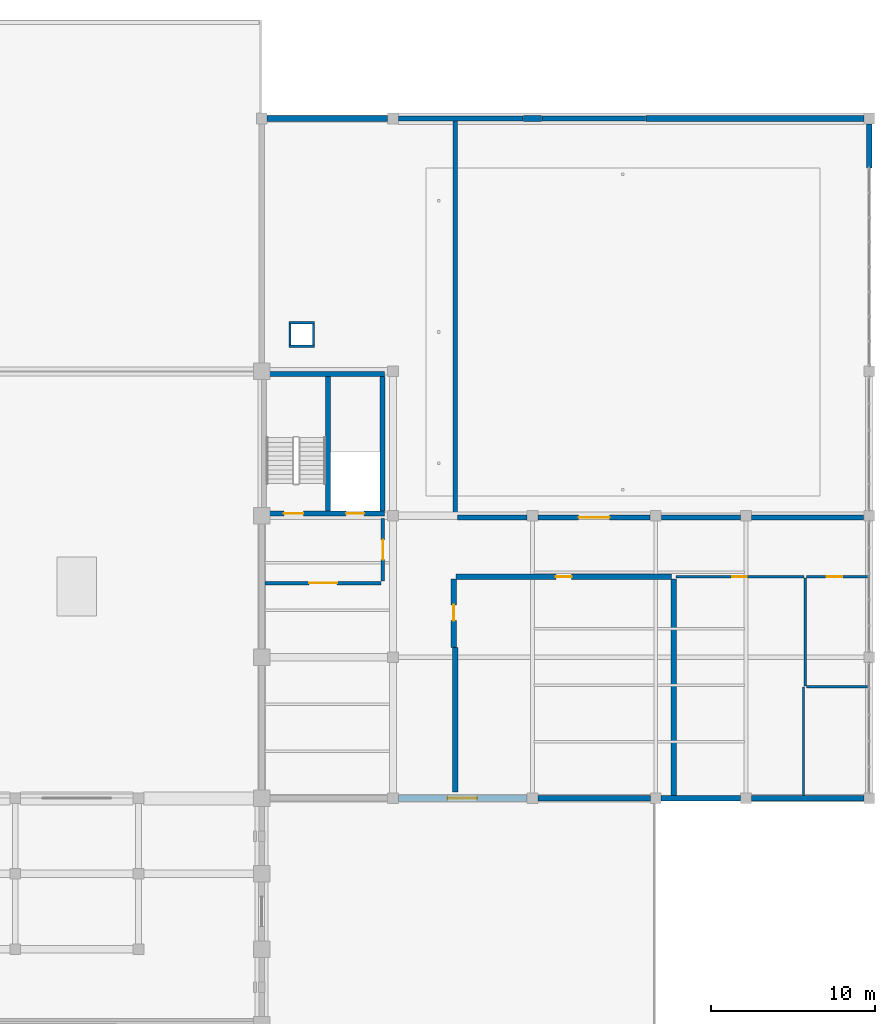
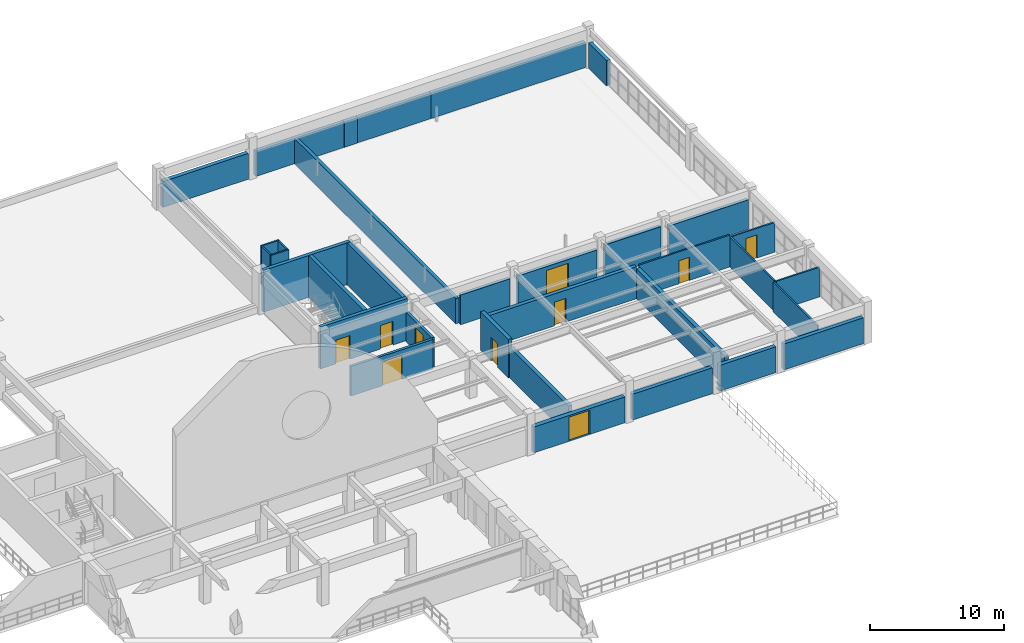
# One storey, part 62 of 74: 34 walls, 10 doors, 10 openings.
"""IFC4 building model written with IfcOpenShell, lengths in metres."""

from ifc_helpers import new_model, si_unit, direction, frame, frame_2d, origin, place, context, subcontext, project, spatial, rectangle, extrude, material, layer, layer_set, type_object, element, fill, save


model = new_model("IFC4")

# Units and contexts
model_context = context("Model", 3, precision=1e-05, world=origin(), true_north=direction((0.0, 1.0)))
body_context = subcontext(model_context, "Body", "Model", "MODEL_VIEW")
ifc_project = project(units=[si_unit("LENGTHUNIT", "METRE"), si_unit("AREAUNIT", "SQUARE_METRE"), si_unit("VOLUMEUNIT", "CUBIC_METRE"), si_unit("PLANEANGLEUNIT", "RADIAN"), si_unit("MASSUNIT", "GRAM", prefix="KILO")], contexts=[model_context])

# Site, building, storey
site_placement = place(None, origin())
site = spatial("IfcSite", under=ifc_project, at=site_placement, CompositionType="ELEMENT")
building_placement = place(site_placement, origin())
building = spatial("IfcBuilding", under=site, at=building_placement, Name="Muzn Square Opera House", CompositionType="ELEMENT")
storey_placement = place(building_placement, frame((0.0, 0.0, 14.199951171875)))
storey = spatial("IfcBuildingStorey", under=building, at=storey_placement, Name="L03", CompositionType="ELEMENT", Elevation=14.199951171875)

# Wall
ifc_material_1 = material(Name="Acoustic gypsum stud partition", Category="gypsum")
ifc_layer_1 = layer(ifc_material_1, 0.320068359375, Name="Acoustic gypsum stud partition", Category="gypsum")
ifc_layer_set_1 = layer_set([ifc_layer_1], Name="Acoustic gypsum stud partition")
wall_type_1 = type_object("IfcWallType", Name="Acoustic Studio Double Wall 320mm", PredefinedType="PARTITIONING", material=ifc_layer_set_1)
wall_1_placement = place(storey_placement, frame((158.10009765625, 72.77490234375, 0.0), z_axis=(0.0, 0.0, 1.0), x_axis=(0.0, 1.0, 0.0)))
element("IfcWall", 1, at=wall_1_placement, inside=storey, type_object=wall_type_1, Name="Interior Partition PW-L03-0360", PredefinedType="PARTITIONING", context=body_context, shape_type="SweptSolid", body=[
    extrude(rectangle(XDim=13.18017578125, YDim=0.320068359375, at=frame_2d((6.590087890625, 0.0))), origin(), (0.0, 0.0, 1.0), 2.7470703125),
])

# Wall, opening, door
wall_2_placement = place(storey_placement, frame((144.699951171875, 81.800048828125, 0.0), z_axis=(0.0, 0.0, 1.0), x_axis=(0.0, 1.0, 0.0)))
wall_2 = element("IfcWall", 2, at=wall_2_placement, inside=storey, type_object=wall_type_1, Name="Interior Partition PW-L03-0361", PredefinedType="PARTITIONING", context=body_context, shape_type="SweptSolid", body=[
    extrude(rectangle(XDim=4.155029296875, YDim=0.320068359375, at=frame_2d((2.07763671875, 0.0))), origin(), (0.0, 0.0, 1.0), 3.5),
])
opening_1_placement = place(wall_2_placement, frame((1.625, 0.0, 0.0)))
opening_1 = element("IfcOpeningElement", 3, at=opening_1_placement, cuts=wall_2, Name="Opening DR-OF95", PredefinedType="OPENING", context=body_context, shape_type="SweptSolid", body=[
    extrude(rectangle(XDim=0.949951171875, YDim=2.14990234375, at=frame_2d((0.47509765625, 1.074951171875))), frame((0.0, 0.169921875, 0.0), z_axis=(0.0, -1.0, 0.0), x_axis=(1.0, 0.0, 0.0)), (0.0, 0.0, 1.0), 0.340087890625),
])
ifc_material_2 = material(Name="Acoustic hardwood leaf", Category="wood")
door_type_1 = type_object("IfcDoorType", Name="Office Room Door 950x2150", OperationType="NOTDEFINED", PredefinedType="DOOR", material=ifc_material_2)
door_1_placement = place(opening_1_placement, origin())
door_1 = element("IfcDoor", 4, at=door_1_placement, inside=storey, type_object=door_type_1, Name="Orchestra Percussion and Harp Studio Door DR-L03-0104", OperationType="SINGLE_SWING_LEFT", OverallHeight=2.14990234375, OverallWidth=0.949951171875, PredefinedType="DOOR", context=body_context, shape_type="SweptSolid", body=[
    extrude(rectangle(XDim=0.949951171875, YDim=2.14990234375, at=frame_2d((0.47509765625, 1.074951171875))), frame((0.0, 0.02490234375, 0.0), z_axis=(0.0, -1.0, 0.0), x_axis=(1.0, 0.0, 0.0)), (0.0, 0.0, 1.0), 0.050048828125),
])
fill(opening_1, door_1)

wall_3_placement = place(storey_placement, frame((144.844970703125, 86.10009765625, 0.0), z_axis=(0.0, 0.0, 1.0), x_axis=(1.0, 0.0, 0.0)))
wall_3 = element("IfcWall", 5, at=wall_3_placement, inside=storey, type_object=wall_type_1, Name="Interior Partition PW-L03-0362", PredefinedType="PARTITIONING", context=body_context, shape_type="SweptSolid", body=[
    extrude(rectangle(XDim=13.110107421875, YDim=0.320068359375, at=frame_2d((6.55517578125, 0.0))), origin(), (0.0, 0.0, 1.0), 2.900146484375),
])
opening_2_placement = place(wall_3_placement, frame((6.080078125, 0.0, 0.0)))
opening_2 = element("IfcOpeningElement", 6, at=opening_2_placement, cuts=wall_3, Name="Opening DR-OF95", PredefinedType="OPENING", context=body_context, shape_type="SweptSolid", body=[
    extrude(rectangle(XDim=0.949951171875, YDim=2.14990234375, at=frame_2d((0.47509765625, 1.074951171875))), frame((0.0, 0.169921875, 0.0), z_axis=(0.0, -1.0, 0.0), x_axis=(1.0, 0.0, 0.0)), (0.0, 0.0, 1.0), 0.340087890625),
])
door_2_placement = place(opening_2_placement, origin())
door_2 = element("IfcDoor", 7, at=door_2_placement, inside=storey, type_object=door_type_1, Name="Orchestra Percussion and Harp Studio Door DR-L03-0105", OperationType="SINGLE_SWING_RIGHT", OverallHeight=2.14990234375, OverallWidth=0.949951171875, PredefinedType="DOOR", context=body_context, shape_type="SweptSolid", body=[
    extrude(rectangle(XDim=0.949951171875, YDim=2.14990234375, at=frame_2d((0.47509765625, 1.074951171875))), frame((0.0, 0.02490234375, 0.0), z_axis=(0.0, -1.0, 0.0), x_axis=(1.0, 0.0, 0.0)), (0.0, 0.0, 1.0), 0.050048828125),
])
fill(opening_2, door_2)

# Walls
wall_4_placement = place(storey_placement, frame((144.800048828125, 73.0, 0.0), z_axis=(0.0, 0.0, 1.0), x_axis=(0.0, 1.0, 0.0)))
element("IfcWall", 8, at=wall_4_placement, inside=storey, type_object=wall_type_1, Name="Room Enclosure Partition PW-L03-0383", PredefinedType="PARTITIONING", context=body_context, shape_type="SweptSolid", body=[
    extrude(rectangle(XDim=8.780029296875, YDim=0.320068359375, at=frame_2d((4.39013671875, 0.0))), origin(), (0.0, 0.0, 1.0), 2.7470703125),
])
ifc_material_3 = material(Name="Concrete C45/55", Category="concrete")
ifc_layer_2 = layer(ifc_material_3, 0.300048828125, Name="Concrete C45/55", Category="concrete")
ifc_layer_set_2 = layer_set([ifc_layer_2], Name="Concrete C45/55")
wall_type_2 = type_object("IfcWallType", Name="Core Shear Wall 300mm", PredefinedType="SHEAR", material=ifc_layer_set_2)
wall_5_placement = place(storey_placement, frame((133.0, 98.449951171875, 0.0), z_axis=(0.0, 0.0, 1.0), x_axis=(1.0, 0.0, 0.0)))
element("IfcWall", 9, at=wall_5_placement, inside=storey, type_object=wall_type_2, Name="Core C5 Shear Wall SW-C5-L03-N", PredefinedType="SHEAR", context=body_context, shape_type="SweptSolid", body=[
    extrude(rectangle(XDim=7.5, YDim=0.300048828125, at=frame_2d((3.75, 0.0))), origin(), (0.0, 0.0, 1.0), 3.800048828125),
])
for number, where, z_axis, x_axis, name in (
    (10, (140.35009765625, 90.10009765625, 0.0), (0.0, 0.0, 1.0), (0.0, 1.0, 0.0), "Core C5 Shear Wall SW-C5-L03-E"),
    (11, (137.050048828125, 90.10009765625, 0.0), (0.0, 0.0, 1.0), (0.0, 1.0, 0.0), "Core C5 Shear Wall SW-C5-L03-DIV"),
):
    element("IfcWall", number, at=place(storey_placement, frame(where, z_axis=z_axis, x_axis=x_axis)), inside=storey, type_object=wall_type_2, Name=name, PredefinedType="SHEAR", context=body_context, shape_type="SweptSolid", body=[
        extrude(rectangle(XDim=8.199951171875, YDim=0.300048828125, at=frame_2d((4.10009765625, 0.0))), origin(), (0.0, 0.0, 1.0), 3.800048828125),
    ])

# Wall, openings, doors
wall_6_placement = place(storey_placement, frame((133.0, 89.949951171875, 0.0), z_axis=(0.0, 0.0, 1.0), x_axis=(1.0, 0.0, 0.0)))
wall_6 = element("IfcWall", 12, at=wall_6_placement, inside=storey, type_object=wall_type_2, Name="Core C5 Front Shear Wall L03", PredefinedType="SHEAR", context=body_context, shape_type="SweptSolid", body=[
    extrude(rectangle(XDim=7.5, YDim=0.300048828125, at=frame_2d((3.75, 0.0))), origin(), (0.0, 0.0, 1.0), 3.800048828125),
])
opening_3_placement = place(wall_6_placement, frame((2.550048828125, 0.0, 0.0), z_axis=(0.0, 0.0, 1.0), x_axis=(-1.0, 0.0, 0.0)))
opening_3 = element("IfcOpeningElement", 13, at=opening_3_placement, cuts=wall_6, Name="Opening DR-ST12", PredefinedType="OPENING", context=body_context, shape_type="SweptSolid", body=[
    extrude(rectangle(XDim=1.199951171875, YDim=2.14990234375, at=frame_2d((0.60009765625, 1.074951171875))), frame((0.0, 0.159912109375, 0.0), z_axis=(0.0, -1.0, 0.0), x_axis=(1.0, 0.0, 0.0)), (0.0, 0.0, 1.0), 0.320068359375),
])
opening_4_placement = place(wall_6_placement, frame((5.14990234375, 0.0, 0.0)))
opening_4 = element("IfcOpeningElement", 14, at=opening_4_placement, cuts=wall_6, Name="Opening LD-01", PredefinedType="OPENING", context=body_context, shape_type="SweptSolid", body=[
    extrude(rectangle(XDim=1.10009765625, YDim=2.14990234375, at=frame_2d((0.550048828125, 1.074951171875))), frame((0.0, 0.159912109375, 0.0), z_axis=(0.0, -1.0, 0.0), x_axis=(1.0, 0.0, 0.0)), (0.0, 0.0, 1.0), 0.320068359375),
])
ifc_material_4 = material(Name="Galvanised painted steel leaf", Category="metal")
door_type_2 = type_object("IfcDoorType", Name="Core Stair Fire Door 1200x2150", OperationType="NOTDEFINED", PredefinedType="DOOR", material=ifc_material_4)
door_3_placement = place(opening_3_placement, origin())
door_3 = element("IfcDoor", 15, at=door_3_placement, inside=storey, type_object=door_type_2, Name="Core C5 Stair Door L03", OperationType="SINGLE_SWING_RIGHT", OverallHeight=2.14990234375, OverallWidth=1.199951171875, PredefinedType="DOOR", context=body_context, shape_type="SweptSolid", body=[
    extrude(rectangle(XDim=1.199951171875, YDim=2.14990234375, at=frame_2d((0.60009765625, 1.074951171875))), frame((0.0, 0.02490234375, 0.0), z_axis=(0.0, -1.0, 0.0), x_axis=(1.0, 0.0, 0.0)), (0.0, 0.0, 1.0), 0.050048828125),
])
fill(opening_3, door_3)
ifc_material_5 = material(Name="Brushed stainless steel", Category="metal")
door_type_3 = type_object("IfcDoorType", Name="Lift Landing Sliding Door 1100x2150", OperationType="SLIDING_TO_LEFT", PredefinedType="DOOR", material=ifc_material_5)
door_4_placement = place(opening_4_placement, origin())
door_4 = element("IfcDoor", 16, at=door_4_placement, inside=storey, type_object=door_type_3, Name="Lift PL-5 Sliding Landing Door L03", OperationType="SLIDING_TO_LEFT", OverallHeight=2.14990234375, OverallWidth=1.10009765625, PredefinedType="DOOR", context=body_context, shape_type="SweptSolid", body=[
    extrude(rectangle(XDim=1.10009765625, YDim=2.14990234375, at=frame_2d((0.550048828125, 1.074951171875))), frame((0.0, 0.02490234375, 0.0), z_axis=(0.0, -1.0, 0.0), x_axis=(1.0, 0.0, 0.0)), (0.0, 0.0, 1.0), 0.050048828125),
])
fill(opening_4, door_4)

# Walls
ifc_material_6 = material(Name="Concrete C40/50", Category="concrete")
ifc_layer_3 = layer(ifc_material_6, 0.31005859375, Name="Concrete C40/50", Category="concrete")
ifc_layer_set_3 = layer_set([ifc_layer_3], Name="Concrete C40/50")
wall_type_3 = type_object("IfcWallType", Name="Exterior Gallery Facade Wall 310mm", PredefinedType="SOLIDWALL", material=ifc_layer_set_3)
wall_7_placement = place(storey_placement, frame((141.324951171875, 114.0, 0.0), z_axis=(0.0, 0.0, 1.0), x_axis=(1.0, 0.0, 0.0)))
element("IfcWall", 17, at=wall_7_placement, inside=storey, type_object=wall_type_3, Name="Exterior Facade Wall EW-L03-094", PredefinedType="SOLIDWALL", context=body_context, shape_type="SweptSolid", body=[
    extrude(rectangle(XDim=7.594970703125, YDim=0.31005859375, at=frame_2d((3.79736328125, 0.0))), origin(), (0.0, 0.0, 1.0), 2.300048828125),
])
wall_8_placement = place(storey_placement, frame((150.080078125, 114.0, 0.0), z_axis=(0.0, 0.0, 1.0), x_axis=(1.0, 0.0, 0.0)))
element("IfcWall", 18, at=wall_8_placement, inside=storey, type_object=wall_type_3, Name="Exterior Facade Wall EW-L03-095", PredefinedType="SOLIDWALL", context=body_context, shape_type="SweptSolid", body=[
    extrude(rectangle(XDim=6.304931640625, YDim=0.31005859375, at=frame_2d((3.15234375, 0.0))), origin(), (0.0, 0.0, 1.0), 2.300048828125),
])
ifc_layer_4 = layer(ifc_material_6, 0.340087890625, Name="Concrete C40/50", Category="concrete")
ifc_layer_set_4 = layer_set([ifc_layer_4], Name="Concrete C40/50")
wall_type_4 = type_object("IfcWallType", Name="Exterior Insulated Spandrel Wall 340mm", PredefinedType="SOLIDWALL", material=ifc_layer_set_4)
wall_9_placement = place(storey_placement, frame((170.0, 111.0, 0.0), z_axis=(0.0, 0.0, 1.0), x_axis=(0.0, 1.0, 0.0)))
element("IfcWall", 19, at=wall_9_placement, inside=storey, type_object=wall_type_4, Name="Exterior Facade Wall EW-L03-241", PredefinedType="SOLIDWALL", context=body_context, shape_type="SweptSolid", body=[
    extrude(rectangle(XDim=2.675048828125, YDim=0.340087890625, at=frame_2d((1.33740234375, 0.0))), origin(), (0.0, 0.0, 1.0), 2.300048828125),
])
wall_10_placement = place(storey_placement, frame((149.824951171875, 72.60009765625, 0.0), z_axis=(0.0, 0.0, 1.0), x_axis=(1.0, 0.0, 0.0)))
element("IfcWall", 20, at=wall_10_placement, inside=storey, type_object=wall_type_4, Name="Exterior Facade Wall EW-L03-243", PredefinedType="SOLIDWALL", context=body_context, shape_type="SweptSolid", body=[
    extrude(rectangle(XDim=6.85009765625, YDim=0.340087890625, at=frame_2d((3.425048828125, 0.0))), origin(), (0.0, 0.0, 1.0), 2.35009765625),
])
wall_11_placement = place(storey_placement, frame((157.324951171875, 72.60009765625, 0.0), z_axis=(0.0, 0.0, 1.0), x_axis=(1.0, 0.0, 0.0)))
element("IfcWall", 21, at=wall_11_placement, inside=storey, type_object=wall_type_4, Name="Exterior Facade Wall EW-L03-244", PredefinedType="SOLIDWALL", context=body_context, shape_type="SweptSolid", body=[
    extrude(rectangle(XDim=4.85009765625, YDim=0.340087890625, at=frame_2d((2.425048828125, 0.0))), origin(), (0.0, 0.0, 1.0), 2.35009765625),
])
wall_12_placement = place(storey_placement, frame((162.824951171875, 72.60009765625, 0.0), z_axis=(0.0, 0.0, 1.0), x_axis=(1.0, 0.0, 0.0)))
element("IfcWall", 22, at=wall_12_placement, inside=storey, type_object=wall_type_4, Name="Exterior Facade Wall EW-L03-245", PredefinedType="SOLIDWALL", context=body_context, shape_type="SweptSolid", body=[
    extrude(rectangle(XDim=6.85009765625, YDim=0.340087890625, at=frame_2d((3.425048828125, 0.0))), origin(), (0.0, 0.0, 1.0), 2.35009765625),
])
wall_13_placement = place(storey_placement, frame((133.324951171875, 114.0, 0.0), z_axis=(0.0, 0.0, 1.0), x_axis=(1.0, 0.0, 0.0)))
element("IfcWall", 23, at=wall_13_placement, inside=storey, type_object=wall_type_4, Name="Exterior Facade Wall EW-L03-249", PredefinedType="SOLIDWALL", context=body_context, shape_type="SweptSolid", body=[
    extrude(rectangle(XDim=7.35009765625, YDim=0.340087890625, at=frame_2d((3.675048828125, 0.0))), origin(), (0.0, 0.0, 1.0), 2.35009765625),
])
wall_14_placement = place(storey_placement, frame((156.405029296875, 114.0, 0.0), z_axis=(0.0, 0.0, 1.0), x_axis=(1.0, 0.0, 0.0)))
element("IfcWall", 24, at=wall_14_placement, inside=storey, type_object=wall_type_4, Name="Exterior Facade Wall EW-L03-251", PredefinedType="SOLIDWALL", context=body_context, shape_type="SweptSolid", body=[
    extrude(rectangle(XDim=13.27001953125, YDim=0.340087890625, at=frame_2d((6.635009765625, 0.0))), origin(), (0.0, 0.0, 1.0), 2.300048828125),
])
wall_15_placement = place(storey_placement, frame((148.93994140625, 114.0, 0.0), z_axis=(0.0, 0.0, 1.0), x_axis=(1.0, 0.0, 0.0)))
element("IfcWall", 25, at=wall_15_placement, inside=storey, type_object=wall_type_4, Name="Exterior Facade Wall EW-L03-250", PredefinedType="SOLIDWALL", context=body_context, shape_type="SweptSolid", body=[
    extrude(rectangle(XDim=1.1201171875, YDim=0.340087890625, at=frame_2d((0.56005859375, 0.0))), origin(), (0.0, 0.0, 1.0), 2.300048828125),
])

# Wall, opening, door
ifc_layer_5 = layer(ifc_material_6, 0.3798828125, Name="Concrete C40/50", Category="concrete")
ifc_layer_set_5 = layer_set([ifc_layer_5], Name="Concrete C40/50")
wall_type_5 = type_object("IfcWallType", Name="Exterior Limestone Wall 380mm", PredefinedType="SOLIDWALL", material=ifc_layer_set_5)
wall_16_placement = place(storey_placement, frame((141.324951171875, 72.60009765625, 0.0), z_axis=(0.0, 0.0, 1.0), x_axis=(1.0, 0.0, 0.0)))
wall_16 = element("IfcWall", 26, at=wall_16_placement, inside=storey, type_object=wall_type_5, Name="Exterior Facade Wall EW-L03-105", PredefinedType="SOLIDWALL", context=body_context, shape_type="SweptSolid", body=[
    extrude(rectangle(XDim=7.85009765625, YDim=0.3798828125, at=frame_2d((3.925048828125, 0.0))), origin(), (0.0, 0.0, 1.0), 2.35009765625),
])
opening_5_placement = place(wall_16_placement, frame((4.804931640625, 0.0, 0.0), z_axis=(0.0, 0.0, 1.0), x_axis=(-1.0, 0.0, 0.0)))
opening_5 = element("IfcOpeningElement", 27, at=opening_5_placement, cuts=wall_16, Name="Opening DR-TR18L", PredefinedType="OPENING", context=body_context, shape_type="SweptSolid", body=[
    extrude(rectangle(XDim=1.800048828125, YDim=2.199951171875, at=frame_2d((0.89990234375, 1.10009765625))), frame((0.0, 0.199951171875, 0.0), z_axis=(0.0, -1.0, 0.0), x_axis=(1.0, 0.0, 0.0)), (0.0, 0.0, 1.0), 0.39990234375),
])
ifc_material_7 = material(Name="Anodised bronze aluminium", Category="metal")
door_type_4 = type_object("IfcDoorType", Name="Terrace Compact Glazed Door 1800x2200", OperationType="DOUBLE_DOOR_SINGLE_SWING", PredefinedType="DOOR", material=ifc_material_7)
door_5_placement = place(opening_5_placement, origin())
door_5 = element("IfcDoor", 28, at=door_5_placement, inside=storey, type_object=door_type_4, Name="Rehearsal Pavilion Sunset Terrace Door D-TR302", OperationType="DOUBLE_DOOR_SINGLE_SWING", OverallHeight=2.199951171875, OverallWidth=1.800048828125, PredefinedType="DOOR", context=body_context, shape_type="SweptSolid", body=[
    extrude(rectangle(XDim=1.800048828125, YDim=2.199951171875, at=frame_2d((0.89990234375, 1.10009765625))), frame((0.0, 0.02490234375, 0.0), z_axis=(0.0, -1.0, 0.0), x_axis=(1.0, 0.0, 0.0)), (0.0, 0.0, 1.0), 0.050048828125),
])
fill(opening_5, door_5)

ifc_layer_6 = layer(ifc_material_6, 0.219970703125, Name="Concrete C40/50", Category="concrete")
ifc_layer_set_6 = layer_set([ifc_layer_6], Name="Concrete C40/50")
wall_type_6 = type_object("IfcWallType", Name="Lift Lobby Wall 220mm", PredefinedType="SOLIDWALL", material=ifc_layer_set_6)
wall_17_placement = place(storey_placement, frame((133.219970703125, 85.7099609375, 0.0), z_axis=(0.0, 0.0, 1.0), x_axis=(1.0, 0.0, 0.0)))
wall_17 = element("IfcWall", 29, at=wall_17_placement, inside=storey, type_object=wall_type_6, Name="Lobby C5 Enclosure Wall L03", PredefinedType="SOLIDWALL", context=body_context, shape_type="SweptSolid", body=[
    extrude(rectangle(XDim=7.06005859375, YDim=0.219970703125, at=frame_2d((3.530029296875, 0.0))), origin(), (0.0, 0.0, 1.0), 2.699951171875),
])
opening_6_placement = place(wall_17_placement, frame((4.3798828125, 0.0, 0.0), z_axis=(0.0, 0.0, 1.0), x_axis=(-1.0, 0.0, 0.0)))
opening_6 = element("IfcOpeningElement", 30, at=opening_6_placement, cuts=wall_17, Name="Opening DR-LL17", PredefinedType="OPENING", context=body_context, shape_type="SweptSolid", body=[
    extrude(rectangle(XDim=1.699951171875, YDim=2.179931640625, at=frame_2d((0.85009765625, 1.08984375))), frame((0.0, 0.119873046875, 0.0), z_axis=(0.0, -1.0, 0.0), x_axis=(1.0, 0.0, 0.0)), (0.0, 0.0, 1.0), 0.239990234375),
])
door_type_5 = type_object("IfcDoorType", Name="Lift Lobby Double Door 1700x2180", OperationType="DOUBLE_DOOR_SINGLE_SWING", PredefinedType="DOOR", material=ifc_material_2)
door_6_placement = place(opening_6_placement, origin())
door_6 = element("IfcDoor", 31, at=door_6_placement, inside=storey, type_object=door_type_5, Name="Lobby C5 Fire Door L03", OperationType="DOUBLE_DOOR_SINGLE_SWING", OverallHeight=2.179931640625, OverallWidth=1.699951171875, PredefinedType="DOOR", context=body_context, shape_type="SweptSolid", body=[
    extrude(rectangle(XDim=1.699951171875, YDim=2.179931640625, at=frame_2d((0.85009765625, 1.08984375))), frame((0.0, 0.02490234375, 0.0), z_axis=(0.0, -1.0, 0.0), x_axis=(1.0, 0.0, 0.0)), (0.0, 0.0, 1.0), 0.050048828125),
])
fill(opening_6, door_6)

wall_18_placement = place(storey_placement, frame((140.389892578125, 85.820068359375, 0.0), z_axis=(0.0, 0.0, 1.0), x_axis=(0.0, 1.0, 0.0)))
wall_18 = element("IfcWall", 32, at=wall_18_placement, inside=storey, type_object=wall_type_6, Name="Lobby C5 Side Wall E L03", PredefinedType="SOLIDWALL", context=body_context, shape_type="SweptSolid", body=[
    extrude(rectangle(XDim=3.829833984375, YDim=0.219970703125, at=frame_2d((1.9150390625, 0.0))), origin(), (0.0, 0.0, 1.0), 2.699951171875),
])
opening_7_placement = place(wall_18_placement, frame((2.514892578125, 0.0, 0.0), z_axis=(0.0, 0.0, 1.0), x_axis=(-1.0, 0.0, 0.0)))
opening_7 = element("IfcOpeningElement", 33, at=opening_7_placement, cuts=wall_18, Name="Opening DR-ST12", PredefinedType="OPENING", context=body_context, shape_type="SweptSolid", body=[
    extrude(rectangle(XDim=1.199951171875, YDim=2.14990234375, at=frame_2d((0.60009765625, 1.074951171875))), frame((0.0, 0.119873046875, 0.0), z_axis=(0.0, -1.0, 0.0), x_axis=(1.0, 0.0, 0.0)), (0.0, 0.0, 1.0), 0.239990234375),
])
door_7_placement = place(opening_7_placement, origin())
door_7 = element("IfcDoor", 34, at=door_7_placement, inside=storey, type_object=door_type_2, Name="Lobby C5 Side Door E L03", OperationType="SINGLE_SWING_LEFT", OverallHeight=2.14990234375, OverallWidth=1.199951171875, PredefinedType="DOOR", context=body_context, shape_type="SweptSolid", body=[
    extrude(rectangle(XDim=1.199951171875, YDim=2.14990234375, at=frame_2d((0.60009765625, 1.074951171875))), frame((0.0, 0.02490234375, 0.0), z_axis=(0.0, -1.0, 0.0), x_axis=(1.0, 0.0, 0.0)), (0.0, 0.0, 1.0), 0.050048828125),
])
fill(opening_7, door_7)

ifc_layer_7 = layer(ifc_material_1, 0.2900390625, Name="Acoustic gypsum stud partition", Category="gypsum")
ifc_layer_set_7 = layer_set([ifc_layer_7], Name="Acoustic gypsum stud partition")
wall_type_7 = type_object("IfcWallType", Name="Rehearsal Sound Wall 290mm", PredefinedType="PARTITIONING", material=ifc_layer_set_7)
wall_19_placement = place(storey_placement, frame((149.844970703125, 89.699951171875, 0.0), z_axis=(0.0, 0.0, 1.0), x_axis=(1.0, 0.0, 0.0)))
wall_19 = element("IfcWall", 35, at=wall_19_placement, inside=storey, type_object=wall_type_7, Name="Interior Partition PW-L03-0356", PredefinedType="PARTITIONING", context=body_context, shape_type="SweptSolid", body=[
    extrude(rectangle(XDim=6.81005859375, YDim=0.2900390625, at=frame_2d((3.405029296875, 0.0))), origin(), (0.0, 0.0, 1.0), 2.699951171875),
])
opening_8_placement = place(wall_19_placement, frame((2.455078125, 0.0, 0.0)))
opening_8 = element("IfcOpeningElement", 36, at=opening_8_placement, cuts=wall_19, Name="Opening DR-RH19", PredefinedType="OPENING", context=body_context, shape_type="SweptSolid", body=[
    extrude(rectangle(XDim=1.89990234375, YDim=2.35009765625, at=frame_2d((0.949951171875, 1.175048828125))), frame((0.0, 0.155029296875, 0.0), z_axis=(0.0, -1.0, 0.0), x_axis=(1.0, 0.0, 0.0)), (0.0, 0.0, 1.0), 0.31005859375),
])
door_type_6 = type_object("IfcDoorType", Name="Rehearsal Hall Acoustic Door 1900x2350", OperationType="DOUBLE_DOOR_SINGLE_SWING", PredefinedType="DOOR", material=ifc_material_2)
door_8_placement = place(opening_8_placement, origin())
door_8 = element("IfcDoor", 37, at=door_8_placement, inside=storey, type_object=door_type_6, Name="Orchestra Rehearsal Stage Door DR-L03-0103", OperationType="DOUBLE_DOOR_SINGLE_SWING", OverallHeight=2.35009765625, OverallWidth=1.89990234375, PredefinedType="DOOR", context=body_context, shape_type="SweptSolid", body=[
    extrude(rectangle(XDim=1.89990234375, YDim=2.35009765625, at=frame_2d((0.949951171875, 1.175048828125))), frame((0.0, 0.02490234375, 0.0), z_axis=(0.0, -1.0, 0.0), x_axis=(1.0, 0.0, 0.0)), (0.0, 0.0, 1.0), 0.050048828125),
])
fill(opening_8, door_8)

# Walls
wall_20_placement = place(storey_placement, frame((162.844970703125, 89.699951171875, 0.0), z_axis=(0.0, 0.0, 1.0), x_axis=(1.0, 0.0, 0.0)))
element("IfcWall", 38, at=wall_20_placement, inside=storey, type_object=wall_type_7, Name="Interior Partition PW-L03-0357", PredefinedType="PARTITIONING", context=body_context, shape_type="SweptSolid", body=[
    extrude(rectangle(XDim=6.824951171875, YDim=0.2900390625, at=frame_2d((3.41259765625, 0.0))), origin(), (0.0, 0.0, 1.0), 2.699951171875),
])
wall_21_placement = place(storey_placement, frame((157.344970703125, 89.699951171875, 0.0), z_axis=(0.0, 0.0, 1.0), x_axis=(1.0, 0.0, 0.0)))
element("IfcWall", 39, at=wall_21_placement, inside=storey, type_object=wall_type_7, Name="Interior Partition PW-L03-0358", PredefinedType="PARTITIONING", context=body_context, shape_type="SweptSolid", body=[
    extrude(rectangle(XDim=4.81005859375, YDim=0.2900390625, at=frame_2d((2.405029296875, 0.0))), origin(), (0.0, 0.0, 1.0), 2.900146484375),
])
wall_22_placement = place(storey_placement, frame((144.929931640625, 89.699951171875, 0.0), z_axis=(0.0, 0.0, 1.0), x_axis=(1.0, 0.0, 0.0)))
element("IfcWall", 40, at=wall_22_placement, inside=storey, type_object=wall_type_7, Name="Interior Partition PW-L03-0359", PredefinedType="PARTITIONING", context=body_context, shape_type="SweptSolid", body=[
    extrude(rectangle(XDim=4.22509765625, YDim=0.2900390625, at=frame_2d((2.112548828125, 0.0))), origin(), (0.0, 0.0, 1.0), 2.699951171875),
])
wall_23_placement = place(storey_placement, frame((144.800048828125, 89.830078125, 0.0), z_axis=(0.0, 0.0, 1.0), x_axis=(0.0, 1.0, 0.0)))
element("IfcWall", 41, at=wall_23_placement, inside=storey, type_object=wall_type_7, Name="Room Enclosure Partition PW-L03-0382", PredefinedType="PARTITIONING", context=body_context, shape_type="SweptSolid", body=[
    extrude(rectangle(XDim=24.010009765625, YDim=0.2900390625, at=frame_2d((12.0048828125, 0.0))), origin(), (0.0, 0.0, 1.0), 2.300048828125),
])
ifc_layer_8 = layer(ifc_material_1, 0.1298828125, Name="Acoustic gypsum stud partition", Category="gypsum")
ifc_layer_set_8 = layer_set([ifc_layer_8], Name="Acoustic gypsum stud partition")
wall_type_8 = type_object("IfcWallType", Name="Service Closet Partition 130mm", PredefinedType="PARTITIONING", material=ifc_layer_set_8)
for number, where, z_axis, x_axis, name in (
    (42, (134.669921875, 100.135009765625, 0.0), (0.0, 0.0, 1.0), (1.0, 0.0, 0.0), "MEP Riser Shaft Wall RSR-RP L03-S"),
    (43, (134.669921875, 101.56494140625, 0.0), (0.0, 0.0, 1.0), (1.0, 0.0, 0.0), "MEP Riser Shaft Wall RSR-RP L03-N"),
):
    element("IfcWall", number, at=place(storey_placement, frame(where, z_axis=z_axis, x_axis=x_axis)), inside=storey, type_object=wall_type_8, Name=name, PredefinedType="PARTITIONING", context=body_context, shape_type="SweptSolid", body=[
        extrude(rectangle(XDim=1.56005859375, YDim=0.1298828125, at=frame_2d((0.780029296875, 0.0))), origin(), (0.0, 0.0, 1.0), 3.5),
    ])
for number, where, z_axis, x_axis, name in (
    (44, (134.735107421875, 100.199951171875, 0.0), (0.0, 0.0, 1.0), (0.0, 1.0, 0.0), "MEP Riser Shaft Wall RSR-RP L03-W"),
    (45, (136.1650390625, 100.199951171875, 0.0), (0.0, 0.0, 1.0), (0.0, 1.0, 0.0), "MEP Riser Shaft Wall RSR-RP L03-E"),
):
    element("IfcWall", number, at=place(storey_placement, frame(where, z_axis=z_axis, x_axis=x_axis)), inside=storey, type_object=wall_type_8, Name=name, PredefinedType="PARTITIONING", context=body_context, shape_type="SweptSolid", body=[
        extrude(rectangle(XDim=1.300048828125, YDim=0.1298828125, at=frame_2d((0.64990234375, 0.0))), origin(), (0.0, 0.0, 1.0), 3.5),
    ])
ifc_layer_9 = layer(ifc_material_1, 0.139892578125, Name="Acoustic gypsum stud partition", Category="gypsum")
ifc_layer_set_9 = layer_set([ifc_layer_9], Name="Acoustic gypsum stud partition")
wall_type_9 = type_object("IfcWallType", Name="Wet Room Tile Partition 140mm", PredefinedType="PARTITIONING", material=ifc_layer_set_9)
wall_24_placement = place(storey_placement, frame((166.10009765625, 79.455078125, 0.0), z_axis=(0.0, 0.0, 1.0), x_axis=(0.0, 1.0, 0.0)))
element("IfcWall", 46, at=wall_24_placement, inside=storey, type_object=wall_type_9, Name="Interior Partition PW-L03-0363", PredefinedType="PARTITIONING", context=body_context, shape_type="SweptSolid", body=[
    extrude(rectangle(XDim=6.56982421875, YDim=0.139892578125, at=frame_2d((3.284912109375, 0.0))), origin(), (0.0, 0.0, 1.0), 2.7470703125),
])

# Wall, opening, door
wall_25_placement = place(storey_placement, frame((158.2451171875, 86.10009765625, 0.0), z_axis=(0.0, 0.0, 1.0), x_axis=(1.0, 0.0, 0.0)))
wall_25 = element("IfcWall", 47, at=wall_25_placement, inside=storey, type_object=wall_type_9, Name="Interior Partition PW-L03-0364", PredefinedType="PARTITIONING", context=body_context, shape_type="SweptSolid", body=[
    extrude(rectangle(XDim=7.7998046875, YDim=0.139892578125, at=frame_2d((3.89990234375, 0.0))), origin(), (0.0, 0.0, 1.0), 2.900146484375),
])
opening_9_placement = place(wall_25_placement, frame((3.405029296875, 0.0, 0.0)))
opening_9 = element("IfcOpeningElement", 48, at=opening_9_placement, cuts=wall_25, Name="Opening DR-WC90", PredefinedType="OPENING", context=body_context, shape_type="SweptSolid", body=[
    extrude(rectangle(XDim=0.89990234375, YDim=2.10009765625, at=frame_2d((0.449951171875, 1.050048828125))), frame((0.0, 0.079833984375, 0.0), z_axis=(0.0, -1.0, 0.0), x_axis=(1.0, 0.0, 0.0)), (0.0, 0.0, 1.0), 0.159912109375),
])
door_type_7 = type_object("IfcDoorType", Name="Public WC Lobby Door 900x2100", OperationType="NOTDEFINED", PredefinedType="DOOR", material=ifc_material_2)
door_9_placement = place(opening_9_placement, origin())
door_9 = element("IfcDoor", 49, at=door_9_placement, inside=storey, type_object=door_type_7, Name="Amphitheatre Public WC Door DR-L03-0106", OperationType="SINGLE_SWING_LEFT", OverallHeight=2.10009765625, OverallWidth=0.89990234375, PredefinedType="DOOR", context=body_context, shape_type="SweptSolid", body=[
    extrude(rectangle(XDim=0.89990234375, YDim=2.10009765625, at=frame_2d((0.449951171875, 1.050048828125))), frame((0.0, 0.02490234375, 0.0), z_axis=(0.0, -1.0, 0.0), x_axis=(1.0, 0.0, 0.0)), (0.0, 0.0, 1.0), 0.050048828125),
])
fill(opening_9, door_9)

wall_26_placement = place(storey_placement, frame((166.175048828125, 86.10009765625, 0.0), z_axis=(0.0, 0.0, 1.0), x_axis=(1.0, 0.0, 0.0)))
wall_26 = element("IfcWall", 50, at=wall_26_placement, inside=storey, type_object=wall_type_9, Name="Interior Partition PW-L03-0365", PredefinedType="PARTITIONING", context=body_context, shape_type="SweptSolid", body=[
    extrude(rectangle(XDim=3.739990234375, YDim=0.139892578125, at=frame_2d((1.8701171875, 0.0))), origin(), (0.0, 0.0, 1.0), 2.699951171875),
])
opening_10_placement = place(wall_26_placement, frame((1.25, 0.0, 0.0)))
opening_10 = element("IfcOpeningElement", 51, at=opening_10_placement, cuts=wall_26, Name="Opening DR-AW95", PredefinedType="OPENING", context=body_context, shape_type="SweptSolid", body=[
    extrude(rectangle(XDim=0.949951171875, YDim=2.10009765625, at=frame_2d((0.47509765625, 1.050048828125))), frame((0.0, 0.079833984375, 0.0), z_axis=(0.0, -1.0, 0.0), x_axis=(1.0, 0.0, 0.0)), (0.0, 0.0, 1.0), 0.159912109375),
])
door_type_8 = type_object("IfcDoorType", Name="Accessible WC Door 950x2100", OperationType="NOTDEFINED", PredefinedType="DOOR", material=ifc_material_2)
door_10_placement = place(opening_10_placement, origin())
door_10 = element("IfcDoor", 52, at=door_10_placement, inside=storey, type_object=door_type_8, Name="Amphitheatre Accessible WC Door DR-L03-0107", OperationType="SINGLE_SWING_RIGHT", OverallHeight=2.10009765625, OverallWidth=0.949951171875, PredefinedType="DOOR", context=body_context, shape_type="SweptSolid", body=[
    extrude(rectangle(XDim=0.949951171875, YDim=2.10009765625, at=frame_2d((0.47509765625, 1.050048828125))), frame((0.0, 0.02490234375, 0.0), z_axis=(0.0, -1.0, 0.0), x_axis=(1.0, 0.0, 0.0)), (0.0, 0.0, 1.0), 0.050048828125),
])
fill(opening_10, door_10)

# Walls
wall_27_placement = place(storey_placement, frame((166.175048828125, 79.39990234375, 0.0), z_axis=(0.0, 0.0, 1.0), x_axis=(1.0, 0.0, 0.0)))
element("IfcWall", 53, at=wall_27_placement, inside=storey, type_object=wall_type_9, Name="Room Enclosure Partition PW-L03-0385", PredefinedType="PARTITIONING", context=body_context, shape_type="SweptSolid", body=[
    extrude(rectangle(XDim=3.739990234375, YDim=0.139892578125, at=frame_2d((1.8701171875, 0.0))), origin(), (0.0, 0.0, 1.0), 2.699951171875),
])
wall_28_placement = place(storey_placement, frame((166.0, 72.77490234375, 0.0), z_axis=(0.0, 0.0, 1.0), x_axis=(0.0, 1.0, 0.0)))
element("IfcWall", 54, at=wall_28_placement, inside=storey, type_object=wall_type_9, Name="Room Enclosure Partition PW-L03-0384", PredefinedType="PARTITIONING", context=body_context, shape_type="SweptSolid", body=[
    extrude(rectangle(XDim=6.60498046875, YDim=0.139892578125, at=frame_2d((3.302490234375, 0.0))), origin(), (0.0, 0.0, 1.0), 2.699951171875),
])

save(model, "model.ifc")
